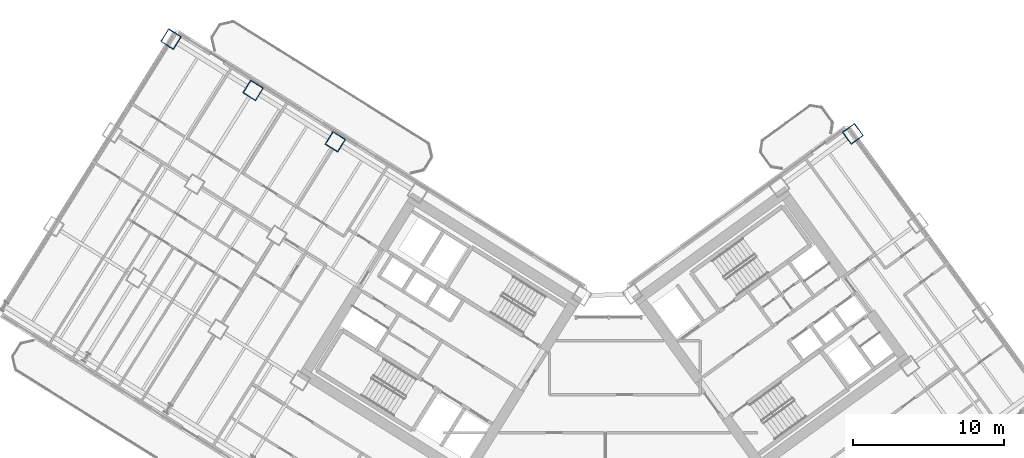
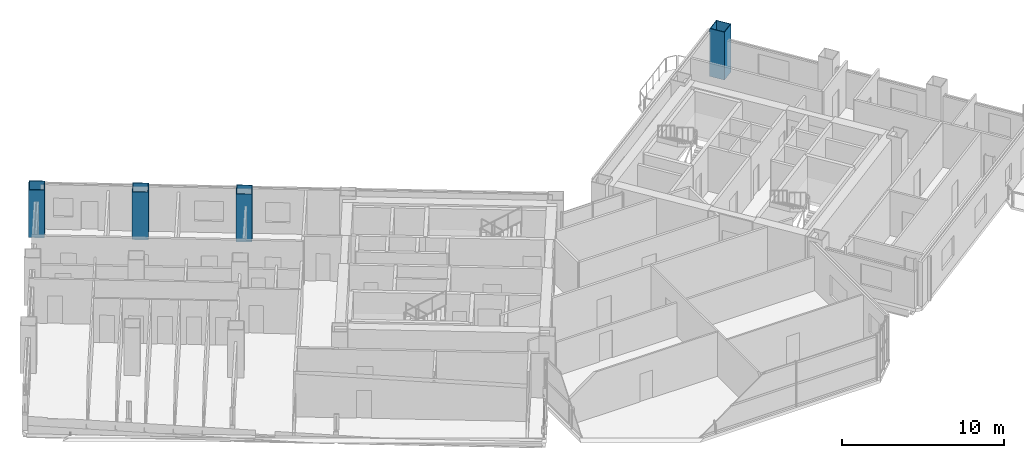
# One storey, part 3 of 28: 4 columns.
"""IFC4 building model written with IfcOpenShell, lengths in metres."""

from ifc_helpers import new_model, si_unit, direction, frame, origin, origin_2d, place, context, subcontext, project, spatial, hollow_rectangle, extrude, source, transform, mapped, material, material_profile, profile_set, type_object, element, save


model = new_model("IFC4")

# Units and contexts
model_context = context("Model", 3, precision=1e-05, world=origin(), true_north=direction((0.0, 1.0)))
body_context = subcontext(model_context, "Body", "Model", "MODEL_VIEW")
ifc_project = project(units=[si_unit("LENGTHUNIT", "METRE"), si_unit("AREAUNIT", "SQUARE_METRE"), si_unit("VOLUMEUNIT", "CUBIC_METRE"), si_unit("PLANEANGLEUNIT", "RADIAN"), si_unit("MASSUNIT", "GRAM", prefix="KILO")], contexts=[model_context])

# Site, building, storey
site_placement = place(None, origin())
site = spatial("IfcSite", under=ifc_project, at=site_placement, CompositionType="ELEMENT")
building_placement = place(site_placement, origin())
building = spatial("IfcBuilding", under=site, at=building_placement, Name="Tlacorven Tower", CompositionType="ELEMENT")
storey_placement = place(building_placement, frame((0.0, 0.0, 63.60009765625)))
storey = spatial("IfcBuildingStorey", under=building, at=storey_placement, Name="L16", CompositionType="ELEMENT", Elevation=63.60009765625)

# Columns
ifc_material = material(Name="Steel S460M", Category="steel")
ifc_material_profile = material_profile(ifc_material, hollow_rectangle(XDim=1.0, YDim=1.0, WallThickness=0.0400390625, at=origin_2d()), Name="BOX 1000X1000X40")
ifc_profile_set = profile_set([ifc_material_profile], Name="Steel S460M")
column_type = type_object("IfcColumnType", Name="COL-TWR-S1", PredefinedType="COLUMN", material=ifc_profile_set)
shared_shape = source(origin(), body_context, "Body", "SweptSolid", [
    extrude(hollow_rectangle(XDim=1.0, YDim=1.0, WallThickness=0.0400390625, at=origin_2d()), origin(), (0.0, 0.0, 1.0), 3.599853515625),
])
for number, where, z_axis, x_axis, name in (
    (1, (24.50048828125, 34.642822265625, 0.0), (0.0, 0.0, 1.0), (-0.848048096156, 0.529919264233, 0.0), "L16 column COL-L16-W4-1"),
    (2, (19.072998046875, 38.034423828125, 0.0), (0.0, 0.0, 1.0), (-0.848048096156, 0.529919264233, 0.0), "L16 column COL-L16-W5-1"),
    (3, (13.6455078125, 41.42578125, 0.0), (0.0, 0.0, 1.0), (-0.848048096156, 0.529919264233, 0.0), "L16 column COL-L16-W6-1"),
    (4, (58.68603515625, 35.165283203125, 0.0), (0.0, 0.0, 1.0), (0.809016994375, 0.587785252292, 0.0), "L16 column COL-L16-E4-4"),
):
    element("IfcColumn", number, at=place(storey_placement, frame(where, z_axis=z_axis, x_axis=x_axis)), inside=storey, type_object=column_type, Name=name, PredefinedType="COLUMN", context=body_context, shape_type="MappedRepresentation", body=[
        mapped(shared_shape, transform((0.0, 0.0, 0.0), scale=1.0)),
    ])

save(model, "model.ifc")
